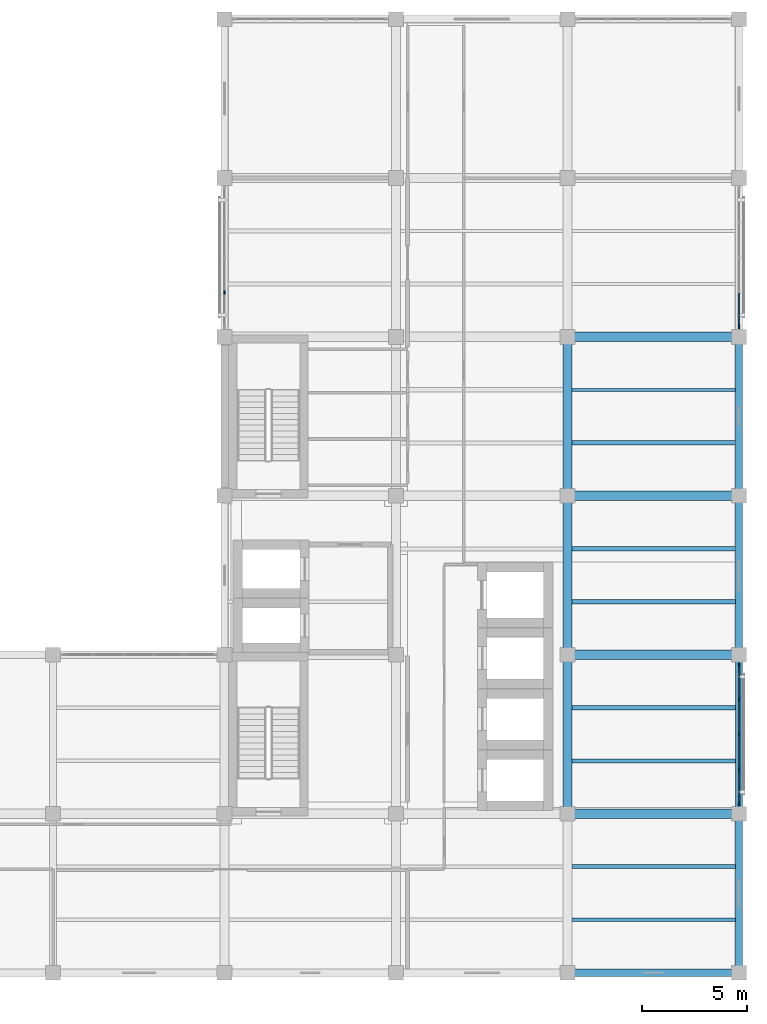
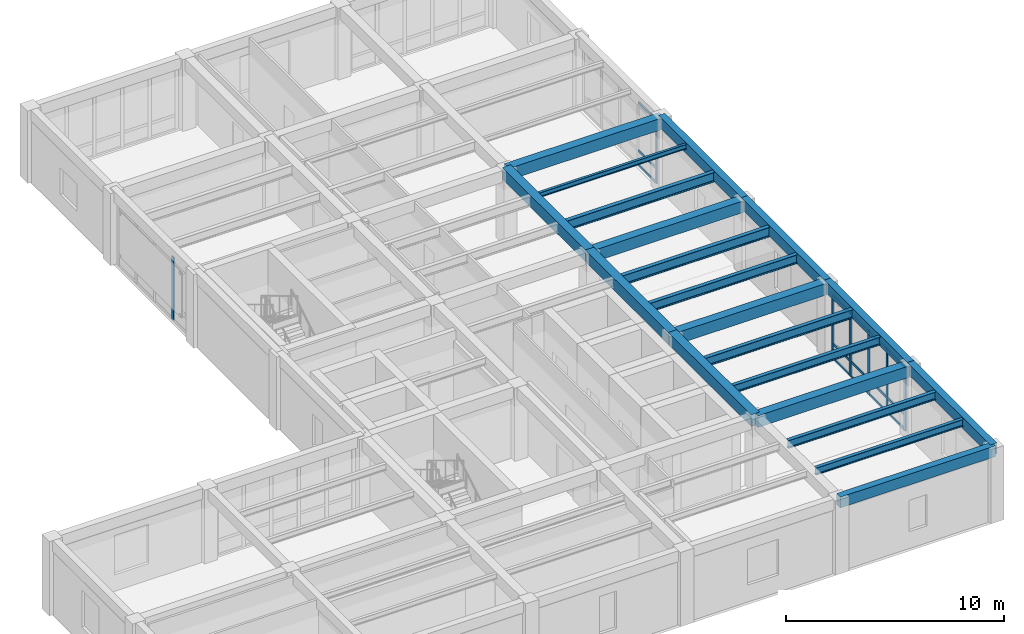
# One storey, part 3 of 13: 22 members, 20 beams, 3 elements without a shape of their own.
"""IFC4 building model written with IfcOpenShell, lengths in metres."""

from ifc_helpers import new_model, si_unit, direction, frame, origin, origin_2d, place, context, subcontext, project, spatial, rectangle, i_section, extrude, material, material_profile, profile_set, type_object, element, aggregate, save


model = new_model("IFC4")

# Units and contexts
model_context = context("Model", 3, precision=1e-05, world=origin(), true_north=direction((0.0, 1.0)))
body_context = subcontext(model_context, "Body", "Model", "MODEL_VIEW")
ifc_project = project(units=[si_unit("LENGTHUNIT", "METRE"), si_unit("AREAUNIT", "SQUARE_METRE"), si_unit("VOLUMEUNIT", "CUBIC_METRE"), si_unit("PLANEANGLEUNIT", "RADIAN"), si_unit("MASSUNIT", "GRAM", prefix="KILO")], contexts=[model_context])

# Site, building, storey
site_placement = place(None, origin())
site = spatial("IfcSite", under=ifc_project, at=site_placement, CompositionType="ELEMENT")
building_placement = place(site_placement, origin())
building = spatial("IfcBuilding", under=site, at=building_placement, Name="Qandaris Square Conservatory and Botanical Centre", CompositionType="ELEMENT")
storey_placement = place(building_placement, frame((0.0, 0.0, 61.800048828125)))
storey = spatial("IfcBuildingStorey", under=building, at=storey_placement, Name="L14", CompositionType="ELEMENT", Elevation=61.800048828125)

# Beams
ifc_material_1 = material(Name="Steel S355", Category="steel")
ifc_material_profile_1 = material_profile(ifc_material_1, i_section(OverallWidth=0.18994140625, OverallDepth=0.449951171875, WebThickness=0.009521484375, FlangeThickness=0.0146484375, FilletRadius=0.02099609375, at=origin_2d()), Name="IPE 450")
ifc_profile_set_1 = profile_set([ifc_material_profile_1], Name="Steel S355")
beam_type_1 = type_object("IfcBeamType", Name="Composite Archive Joist IPE 450", PredefinedType="JOIST", material=ifc_profile_set_1)
for number, where, z_axis, x_axis, name in (
    (1, (155.824951171875, 21.666748046875, 3.875), (1.0, 0.0, 0.0), (0.0, 1.0, 0.0), "L14 Composite Joist 2895"),
    (2, (155.824951171875, 26.7333984375, 3.875), (1.0, 0.0, 0.0), (0.0, 1.0, 0.0), "L14 Composite Joist 2896"),
):
    element("IfcBeam", number, at=place(storey_placement, frame(where, z_axis=z_axis, x_axis=x_axis)), inside=storey, type_object=beam_type_1, Name=name, PredefinedType="JOIST", context=body_context, shape_type="SweptSolid", body=[
        extrude(i_section(OverallWidth=0.18994140625, OverallDepth=0.449951171875, WebThickness=0.009521484375, FlangeThickness=0.0146484375, FilletRadius=0.02099609375, at=origin_2d()), origin(), (0.0, 0.0, 1.0), 7.800048828125),
    ])
ifc_material_profile_2 = material_profile(ifc_material_1, i_section(OverallWidth=0.199951171875, OverallDepth=0.5, WebThickness=0.01025390625, FlangeThickness=0.01611328125, FilletRadius=0.02099609375, at=origin_2d()), Name="IPE 500")
ifc_profile_set_2 = profile_set([ifc_material_profile_2], Name="Steel S355")
beam_type_2 = type_object("IfcBeamType", Name="Composite Gallery Joist IPE 500", PredefinedType="JOIST", material=ifc_profile_set_2)
for number, where, z_axis, x_axis, name in (
    (3, (155.824951171875, 29.2666015625, 3.849853515625), (1.0, 0.0, 0.0), (0.0, 1.0, 0.0), "L14 Composite Joist 2897"),
    (4, (155.824951171875, 34.333251953125, 3.849853515625), (1.0, 0.0, 0.0), (0.0, 1.0, 0.0), "L14 Composite Joist 2898"),
):
    element("IfcBeam", number, at=place(storey_placement, frame(where, z_axis=z_axis, x_axis=x_axis)), inside=storey, type_object=beam_type_2, Name=name, PredefinedType="JOIST", context=body_context, shape_type="SweptSolid", body=[
        extrude(i_section(OverallWidth=0.199951171875, OverallDepth=0.5, WebThickness=0.01025390625, FlangeThickness=0.01611328125, FilletRadius=0.02099609375, at=origin_2d()), origin(), (0.0, 0.0, 1.0), 7.800048828125),
    ])
ifc_material_profile_3 = material_profile(ifc_material_1, i_section(OverallWidth=0.179931640625, OverallDepth=0.39990234375, WebThickness=0.008544921875, FlangeThickness=0.013427734375, FilletRadius=0.02099609375, at=origin_2d()), Name="IPE 400")
ifc_profile_set_3 = profile_set([ifc_material_profile_3], Name="Steel S355")
beam_type_3 = type_object("IfcBeamType", Name="Composite Plinth Joist IPE 400", PredefinedType="JOIST", material=ifc_profile_set_3)
beam_1_placement = place(storey_placement, frame((155.824951171875, 19.13330078125, 3.89990234375), z_axis=(1.0, 0.0, 0.0), x_axis=(0.0, 1.0, 0.0)))
element("IfcBeam", 5, at=beam_1_placement, inside=storey, type_object=beam_type_3, Name="L14 Composite Joist 2894", PredefinedType="JOIST", context=body_context, shape_type="SweptSolid", body=[
    extrude(i_section(OverallWidth=0.179931640625, OverallDepth=0.39990234375, WebThickness=0.008544921875, FlangeThickness=0.013427734375, FilletRadius=0.02099609375, at=origin_2d()), origin(), (0.0, 0.0, 1.0), 7.800048828125),
])

# Curtain wall, members
ifc_material_2 = material(Name="Anodised Aluminium", Category="aluminium")
curtain_wall_type_1 = type_object("IfcCurtainWallType", Name="Unitised Curtain Wall CW-4-670x355", PredefinedType="USERDEFINED", material=ifc_material_2)
curtain_wall_1_placement = place(storey_placement, origin())
curtain_wall_1 = element("IfcCurtainWall", 6, at=curtain_wall_1_placement, inside=storey, type_object=curtain_wall_type_1, Name="Curtain Wall CW-TWR-L14-2-2", ObjectType="GLAZED CURTAIN WALL", PredefinedType="USERDEFINED")
ifc_material_profile_4 = material_profile(ifc_material_2, rectangle(XDim=0.06494140625, YDim=0.179931640625, at=origin_2d()), Name="ALU-MUL 65x180")
ifc_profile_set_4 = profile_set([ifc_material_profile_4], Name="Anodised Aluminium")
member_type_1 = type_object("IfcMemberType", Name="Curtain Wall Mullion 65x180", PredefinedType="MULLION", material=ifc_profile_set_4)
member_1_placement = place(storey_placement, frame((163.800048828125, 24.6826171875, 0.0), z_axis=(0.0, 0.0, 1.0), x_axis=(-1.0, 0.0, 0.0)))
member_1 = element("IfcMember", 7, at=member_1_placement, type_object=member_type_1, Name="CW-4-670x355 mullion 1", PredefinedType="MULLION", context=body_context, shape_type="SweptSolid", body=[
    extrude(rectangle(XDim=0.06494140625, YDim=0.179931640625, at=origin_2d()), origin(), (0.0, 0.0, 1.0), 3.544921875),
])
member_2_placement = place(storey_placement, frame((163.800048828125, 26.324951171875, 0.0), z_axis=(0.0, 0.0, 1.0), x_axis=(-1.0, 0.0, 0.0)))
member_2 = element("IfcMember", 8, at=member_2_placement, type_object=member_type_1, Name="CW-4-670x355 mullion 2", PredefinedType="MULLION", context=body_context, shape_type="SweptSolid", body=[
    extrude(rectangle(XDim=0.06494140625, YDim=0.179931640625, at=origin_2d()), origin(), (0.0, 0.0, 1.0), 3.544921875),
])
member_3_placement = place(storey_placement, frame((163.800048828125, 28.0, 0.0), z_axis=(0.0, 0.0, 1.0), x_axis=(-1.0, 0.0, 0.0)))
member_3 = element("IfcMember", 9, at=member_3_placement, type_object=member_type_1, Name="CW-4-670x355 mullion 3", PredefinedType="MULLION", context=body_context, shape_type="SweptSolid", body=[
    extrude(rectangle(XDim=0.06494140625, YDim=0.179931640625, at=origin_2d()), origin(), (0.0, 0.0, 1.0), 3.544921875),
])
member_4_placement = place(storey_placement, frame((163.800048828125, 29.675048828125, 0.0), z_axis=(0.0, 0.0, 1.0), x_axis=(-1.0, 0.0, 0.0)))
member_4 = element("IfcMember", 10, at=member_4_placement, type_object=member_type_1, Name="CW-4-670x355 mullion 4", PredefinedType="MULLION", context=body_context, shape_type="SweptSolid", body=[
    extrude(rectangle(XDim=0.06494140625, YDim=0.179931640625, at=origin_2d()), origin(), (0.0, 0.0, 1.0), 3.544921875),
])
member_5_placement = place(storey_placement, frame((163.800048828125, 31.3173828125, 0.0), z_axis=(0.0, 0.0, 1.0), x_axis=(-1.0, 0.0, 0.0)))
member_5 = element("IfcMember", 11, at=member_5_placement, type_object=member_type_1, Name="CW-4-670x355 mullion 5", PredefinedType="MULLION", context=body_context, shape_type="SweptSolid", body=[
    extrude(rectangle(XDim=0.06494140625, YDim=0.179931640625, at=origin_2d()), origin(), (0.0, 0.0, 1.0), 3.544921875),
])

# Curtain wall, member
curtain_wall_2_placement = place(storey_placement, origin())
curtain_wall_2 = element("IfcCurtainWall", 12, at=curtain_wall_2_placement, inside=storey, type_object=curtain_wall_type_1, Name="Curtain Wall CW-TWR-L14-2-5", ObjectType="GLAZED CURTAIN WALL", PredefinedType="USERDEFINED")
member_6_placement = place(storey_placement, frame((163.800048828125, 47.482421875, 0.0), z_axis=(0.0, 0.0, 1.0), x_axis=(-1.0, 0.0, 0.0)))
member_6 = element("IfcMember", 13, at=member_6_placement, type_object=member_type_1, Name="CW-4-670x355 mullion 1", PredefinedType="MULLION", context=body_context, shape_type="SweptSolid", body=[
    extrude(rectangle(XDim=0.06494140625, YDim=0.179931640625, at=origin_2d()), origin(), (0.0, 0.0, 1.0), 3.544921875),
])

curtain_wall_type_2 = type_object("IfcCurtainWallType", Name="Unitised Curtain Wall CW-4-670x351", PredefinedType="USERDEFINED", material=ifc_material_2)
curtain_wall_3_placement = place(storey_placement, origin())
curtain_wall_3 = element("IfcCurtainWall", 14, at=curtain_wall_3_placement, inside=storey, type_object=curtain_wall_type_2, Name="Curtain Wall CW-TWR-L14-4-2", ObjectType="GLAZED CURTAIN WALL", PredefinedType="USERDEFINED")
member_7_placement = place(storey_placement, frame((139.199951171875, 49.125, 0.0), z_axis=(0.0, 0.0, 1.0), x_axis=(1.0, 0.0, 0.0)))
member_7 = element("IfcMember", 15, at=member_7_placement, type_object=member_type_1, Name="CW-4-670x351 mullion 4", PredefinedType="MULLION", context=body_context, shape_type="SweptSolid", body=[
    extrude(rectangle(XDim=0.06494140625, YDim=0.179931640625, at=origin_2d()), origin(), (0.0, 0.0, 1.0), 3.510009765625),
])
aggregate(curtain_wall_3, [member_7])

# Member
ifc_material_profile_5 = material_profile(ifc_material_2, rectangle(XDim=0.06494140625, YDim=0.139892578125, at=origin_2d()), Name="ALU-TRN 65x140")
ifc_profile_set_5 = profile_set([ifc_material_profile_5], Name="Anodised Aluminium")
member_type_2 = type_object("IfcMemberType", Name="Curtain Wall Transom 65x140", PredefinedType="USERDEFINED", material=ifc_profile_set_5)
member_8_placement = place(storey_placement, frame((163.800048828125, 24.715087890625, 0.032470703125), z_axis=(0.0, 1.0, 0.0), x_axis=(-1.0, 0.0, 0.0)))
member_8 = element("IfcMember", 16, at=member_8_placement, type_object=member_type_2, Name="CW-4-670x355 transom 1.1", ObjectType="TRANSOM", PredefinedType="USERDEFINED", context=body_context, shape_type="SweptSolid", body=[
    extrude(rectangle(XDim=0.06494140625, YDim=0.139892578125, at=origin_2d()), origin(), (0.0, 0.0, 1.0), 1.577392578125),
])

member_9_placement = place(storey_placement, frame((163.800048828125, 24.715087890625, 0.849853515625), z_axis=(0.0, 1.0, 0.0), x_axis=(-1.0, 0.0, 0.0)))
member_9 = element("IfcMember", 17, at=member_9_placement, type_object=member_type_2, Name="CW-4-670x355 transom 1.2", ObjectType="TRANSOM", PredefinedType="USERDEFINED", context=body_context, shape_type="SweptSolid", body=[
    extrude(rectangle(XDim=0.06494140625, YDim=0.139892578125, at=origin_2d()), origin(), (0.0, 0.0, 1.0), 1.577392578125),
])

member_10_placement = place(storey_placement, frame((163.800048828125, 24.715087890625, 3.512451171875), z_axis=(0.0, 1.0, 0.0), x_axis=(-1.0, 0.0, 0.0)))
member_10 = element("IfcMember", 18, at=member_10_placement, type_object=member_type_2, Name="CW-4-670x355 transom 1.3", ObjectType="TRANSOM", PredefinedType="USERDEFINED", context=body_context, shape_type="SweptSolid", body=[
    extrude(rectangle(XDim=0.06494140625, YDim=0.139892578125, at=origin_2d()), origin(), (0.0, 0.0, 1.0), 1.577392578125),
])

member_11_placement = place(storey_placement, frame((163.800048828125, 26.357421875, 0.032470703125), z_axis=(0.0, 1.0, 0.0), x_axis=(-1.0, 0.0, 0.0)))
member_11 = element("IfcMember", 19, at=member_11_placement, type_object=member_type_2, Name="CW-4-670x355 transom 2.1", ObjectType="TRANSOM", PredefinedType="USERDEFINED", context=body_context, shape_type="SweptSolid", body=[
    extrude(rectangle(XDim=0.06494140625, YDim=0.139892578125, at=origin_2d()), origin(), (0.0, 0.0, 1.0), 1.610107421875),
])

member_12_placement = place(storey_placement, frame((163.800048828125, 26.357421875, 0.849853515625), z_axis=(0.0, 1.0, 0.0), x_axis=(-1.0, 0.0, 0.0)))
member_12 = element("IfcMember", 20, at=member_12_placement, type_object=member_type_2, Name="CW-4-670x355 transom 2.2", ObjectType="TRANSOM", PredefinedType="USERDEFINED", context=body_context, shape_type="SweptSolid", body=[
    extrude(rectangle(XDim=0.06494140625, YDim=0.139892578125, at=origin_2d()), origin(), (0.0, 0.0, 1.0), 1.610107421875),
])

member_13_placement = place(storey_placement, frame((163.800048828125, 26.357421875, 3.512451171875), z_axis=(0.0, 1.0, 0.0), x_axis=(-1.0, 0.0, 0.0)))
member_13 = element("IfcMember", 21, at=member_13_placement, type_object=member_type_2, Name="CW-4-670x355 transom 2.3", ObjectType="TRANSOM", PredefinedType="USERDEFINED", context=body_context, shape_type="SweptSolid", body=[
    extrude(rectangle(XDim=0.06494140625, YDim=0.139892578125, at=origin_2d()), origin(), (0.0, 0.0, 1.0), 1.610107421875),
])

member_14_placement = place(storey_placement, frame((163.800048828125, 28.032470703125, 0.032470703125), z_axis=(0.0, 1.0, 0.0), x_axis=(-1.0, 0.0, 0.0)))
member_14 = element("IfcMember", 22, at=member_14_placement, type_object=member_type_2, Name="CW-4-670x355 transom 3.1", ObjectType="TRANSOM", PredefinedType="USERDEFINED", context=body_context, shape_type="SweptSolid", body=[
    extrude(rectangle(XDim=0.06494140625, YDim=0.139892578125, at=origin_2d()), origin(), (0.0, 0.0, 1.0), 1.610107421875),
])

member_15_placement = place(storey_placement, frame((163.800048828125, 28.032470703125, 0.849853515625), z_axis=(0.0, 1.0, 0.0), x_axis=(-1.0, 0.0, 0.0)))
member_15 = element("IfcMember", 23, at=member_15_placement, type_object=member_type_2, Name="CW-4-670x355 transom 3.2", ObjectType="TRANSOM", PredefinedType="USERDEFINED", context=body_context, shape_type="SweptSolid", body=[
    extrude(rectangle(XDim=0.06494140625, YDim=0.139892578125, at=origin_2d()), origin(), (0.0, 0.0, 1.0), 1.610107421875),
])

member_16_placement = place(storey_placement, frame((163.800048828125, 28.032470703125, 3.512451171875), z_axis=(0.0, 1.0, 0.0), x_axis=(-1.0, 0.0, 0.0)))
member_16 = element("IfcMember", 24, at=member_16_placement, type_object=member_type_2, Name="CW-4-670x355 transom 3.3", ObjectType="TRANSOM", PredefinedType="USERDEFINED", context=body_context, shape_type="SweptSolid", body=[
    extrude(rectangle(XDim=0.06494140625, YDim=0.139892578125, at=origin_2d()), origin(), (0.0, 0.0, 1.0), 1.610107421875),
])

member_17_placement = place(storey_placement, frame((163.800048828125, 29.70751953125, 0.032470703125), z_axis=(0.0, 1.0, 0.0), x_axis=(-1.0, 0.0, 0.0)))
member_17 = element("IfcMember", 25, at=member_17_placement, type_object=member_type_2, Name="CW-4-670x355 transom 4.1", ObjectType="TRANSOM", PredefinedType="USERDEFINED", context=body_context, shape_type="SweptSolid", body=[
    extrude(rectangle(XDim=0.06494140625, YDim=0.139892578125, at=origin_2d()), origin(), (0.0, 0.0, 1.0), 1.577392578125),
])

member_18_placement = place(storey_placement, frame((163.800048828125, 29.70751953125, 0.849853515625), z_axis=(0.0, 1.0, 0.0), x_axis=(-1.0, 0.0, 0.0)))
member_18 = element("IfcMember", 26, at=member_18_placement, type_object=member_type_2, Name="CW-4-670x355 transom 4.2", ObjectType="TRANSOM", PredefinedType="USERDEFINED", context=body_context, shape_type="SweptSolid", body=[
    extrude(rectangle(XDim=0.06494140625, YDim=0.139892578125, at=origin_2d()), origin(), (0.0, 0.0, 1.0), 1.577392578125),
])

member_19_placement = place(storey_placement, frame((163.800048828125, 29.70751953125, 3.512451171875), z_axis=(0.0, 1.0, 0.0), x_axis=(-1.0, 0.0, 0.0)))
member_19 = element("IfcMember", 27, at=member_19_placement, type_object=member_type_2, Name="CW-4-670x355 transom 4.3", ObjectType="TRANSOM", PredefinedType="USERDEFINED", context=body_context, shape_type="SweptSolid", body=[
    extrude(rectangle(XDim=0.06494140625, YDim=0.139892578125, at=origin_2d()), origin(), (0.0, 0.0, 1.0), 1.577392578125),
])

aggregate(curtain_wall_1, [member_1, member_2, member_3, member_4, member_5, member_8, member_9, member_10, member_11, member_12, member_13, member_14, member_15, member_16, member_17, member_18, member_19])

member_20_placement = place(storey_placement, frame((163.800048828125, 47.514892578125, 0.032470703125), z_axis=(0.0, 1.0, 0.0), x_axis=(-1.0, 0.0, 0.0)))
member_20 = element("IfcMember", 28, at=member_20_placement, type_object=member_type_2, Name="CW-4-670x355 transom 1.1", ObjectType="TRANSOM", PredefinedType="USERDEFINED", context=body_context, shape_type="SweptSolid", body=[
    extrude(rectangle(XDim=0.06494140625, YDim=0.139892578125, at=origin_2d()), origin(), (0.0, 0.0, 1.0), 1.57763671875),
])

member_21_placement = place(storey_placement, frame((163.800048828125, 47.514892578125, 0.849853515625), z_axis=(0.0, 1.0, 0.0), x_axis=(-1.0, 0.0, 0.0)))
member_21 = element("IfcMember", 29, at=member_21_placement, type_object=member_type_2, Name="CW-4-670x355 transom 1.2", ObjectType="TRANSOM", PredefinedType="USERDEFINED", context=body_context, shape_type="SweptSolid", body=[
    extrude(rectangle(XDim=0.06494140625, YDim=0.139892578125, at=origin_2d()), origin(), (0.0, 0.0, 1.0), 1.57763671875),
])

member_22_placement = place(storey_placement, frame((163.800048828125, 47.514892578125, 3.512451171875), z_axis=(0.0, 1.0, 0.0), x_axis=(-1.0, 0.0, 0.0)))
member_22 = element("IfcMember", 30, at=member_22_placement, type_object=member_type_2, Name="CW-4-670x355 transom 1.3", ObjectType="TRANSOM", PredefinedType="USERDEFINED", context=body_context, shape_type="SweptSolid", body=[
    extrude(rectangle(XDim=0.06494140625, YDim=0.139892578125, at=origin_2d()), origin(), (0.0, 0.0, 1.0), 1.57763671875),
])

aggregate(curtain_wall_2, [member_6, member_20, member_21, member_22])

# Beams
ifc_material_profile_6 = material_profile(ifc_material_1, i_section(OverallWidth=0.2099609375, OverallDepth=0.550048828125, WebThickness=0.010986328125, FlangeThickness=0.01708984375, FilletRadius=0.02392578125, at=origin_2d()), Name="IPE 550")
ifc_profile_set_6 = profile_set([ifc_material_profile_6], Name="Steel S355")
beam_type_4 = type_object("IfcBeamType", Name="Long-Span Foyer Joist IPE 550", PredefinedType="JOIST", material=ifc_profile_set_6)
for number, where, z_axis, x_axis, name in (
    (31, (155.824951171875, 36.86669921875, 3.824951171875), (1.0, 0.0, 0.0), (0.0, 1.0, 0.0), "L14 Composite Joist 2899"),
    (32, (155.824951171875, 41.933349609375, 3.824951171875), (1.0, 0.0, 0.0), (0.0, 1.0, 0.0), "L14 Composite Joist 2900"),
):
    element("IfcBeam", number, at=place(storey_placement, frame(where, z_axis=z_axis, x_axis=x_axis)), inside=storey, type_object=beam_type_4, Name=name, PredefinedType="JOIST", context=body_context, shape_type="SweptSolid", body=[
        extrude(i_section(OverallWidth=0.2099609375, OverallDepth=0.550048828125, WebThickness=0.010986328125, FlangeThickness=0.01708984375, FilletRadius=0.02392578125, at=origin_2d()), origin(), (0.0, 0.0, 1.0), 7.800048828125),
    ])
ifc_material_3 = material(Name="Concrete C50/60", Category="concrete")
ifc_material_profile_7 = material_profile(ifc_material_3, rectangle(XDim=0.35009765625, YDim=0.60009765625, at=origin_2d()), Name="RC-SP 350x600")
ifc_profile_set_7 = profile_set([ifc_material_profile_7], Name="Concrete C50/60")
beam_type_5 = type_object("IfcBeamType", Name="RC Edge Spandrel Beam 350x600", PredefinedType="SPANDREL", material=ifc_profile_set_7)
beam_2_placement = place(storey_placement, frame((155.60009765625, 16.60009765625, 3.844970703125), z_axis=(1.0, 0.0, 0.0), x_axis=(0.0, 1.0, 0.0)))
element("IfcBeam", 33, at=beam_2_placement, inside=storey, type_object=beam_type_5, Name="L14 Frame Beam 2828", PredefinedType="SPANDREL", context=body_context, shape_type="SweptSolid", body=[
    extrude(rectangle(XDim=0.35009765625, YDim=0.60009765625, at=origin_2d()), origin(), (0.0, 0.0, 1.0), 8.199951171875),
])
beam_3_placement = place(storey_placement, frame((163.800048828125, 16.60009765625, 3.844970703125), z_axis=(0.0, 1.0, 0.0), x_axis=(-1.0, 0.0, 0.0)))
element("IfcBeam", 34, at=beam_3_placement, inside=storey, type_object=beam_type_5, Name="L14 Frame Beam 2872", PredefinedType="SPANDREL", context=body_context, shape_type="SweptSolid", body=[
    extrude(rectangle(XDim=0.35009765625, YDim=0.60009765625, at=origin_2d()), origin(), (0.0, 0.0, 1.0), 7.599853515625),
])
beam_4_placement = place(storey_placement, frame((163.800048828125, 24.199951171875, 3.844970703125), z_axis=(0.0, 1.0, 0.0), x_axis=(-1.0, 0.0, 0.0)))
element("IfcBeam", 35, at=beam_4_placement, inside=storey, type_object=beam_type_5, Name="L14 Frame Beam 2873", PredefinedType="SPANDREL", context=body_context, shape_type="SweptSolid", body=[
    extrude(rectangle(XDim=0.35009765625, YDim=0.60009765625, at=origin_2d()), origin(), (0.0, 0.0, 1.0), 7.60009765625),
])
beam_5_placement = place(storey_placement, frame((163.800048828125, 31.800048828125, 3.844970703125), z_axis=(0.0, 1.0, 0.0), x_axis=(-1.0, 0.0, 0.0)))
element("IfcBeam", 36, at=beam_5_placement, inside=storey, type_object=beam_type_5, Name="L14 Frame Beam 2874", PredefinedType="SPANDREL", context=body_context, shape_type="SweptSolid", body=[
    extrude(rectangle(XDim=0.35009765625, YDim=0.60009765625, at=origin_2d()), origin(), (0.0, 0.0, 1.0), 7.599853515625),
])
beam_6_placement = place(storey_placement, frame((163.800048828125, 39.39990234375, 3.844970703125), z_axis=(0.0, 1.0, 0.0), x_axis=(-1.0, 0.0, 0.0)))
element("IfcBeam", 37, at=beam_6_placement, inside=storey, type_object=beam_type_5, Name="L14 Frame Beam 2875", PredefinedType="SPANDREL", context=body_context, shape_type="SweptSolid", body=[
    extrude(rectangle(XDim=0.35009765625, YDim=0.60009765625, at=origin_2d()), origin(), (0.0, 0.0, 1.0), 7.60009765625),
])
ifc_material_profile_8 = material_profile(ifc_material_3, rectangle(XDim=0.449951171875, YDim=0.64990234375, at=origin_2d()), Name="RC-BM 450x650")
ifc_profile_set_8 = profile_set([ifc_material_profile_8], Name="Concrete C50/60")
beam_type_6 = type_object("IfcBeamType", Name="RC Floor Girder 450x650", PredefinedType="BEAM", material=ifc_profile_set_8)
for number, where, z_axis, x_axis, name in (
    (38, (155.60009765625, 24.199951171875, 3.784912109375), (1.0, 0.0, 0.0), (0.0, 1.0, 0.0), "L14 Frame Beam 2833"),
    (39, (155.60009765625, 31.800048828125, 3.784912109375), (1.0, 0.0, 0.0), (0.0, 1.0, 0.0), "L14 Frame Beam 2837"),
    (40, (155.60009765625, 39.39990234375, 3.784912109375), (1.0, 0.0, 0.0), (0.0, 1.0, 0.0), "L14 Frame Beam 2840"),
    (41, (155.60009765625, 47.0, 3.784912109375), (1.0, 0.0, 0.0), (0.0, 1.0, 0.0), "L14 Frame Beam 2843"),
):
    element("IfcBeam", number, at=place(storey_placement, frame(where, z_axis=z_axis, x_axis=x_axis)), inside=storey, type_object=beam_type_6, Name=name, PredefinedType="BEAM", context=body_context, shape_type="SweptSolid", body=[
        extrude(rectangle(XDim=0.449951171875, YDim=0.64990234375, at=origin_2d()), origin(), (0.0, 0.0, 1.0), 8.199951171875),
    ])
beam_7_placement = place(storey_placement, frame((155.60009765625, 24.199951171875, 3.784912109375), z_axis=(0.0, 1.0, 0.0), x_axis=(-1.0, 0.0, 0.0)))
element("IfcBeam", 42, at=beam_7_placement, inside=storey, type_object=beam_type_6, Name="L14 Frame Beam 2867", PredefinedType="BEAM", context=body_context, shape_type="SweptSolid", body=[
    extrude(rectangle(XDim=0.449951171875, YDim=0.64990234375, at=origin_2d()), origin(), (0.0, 0.0, 1.0), 7.60009765625),
])
beam_8_placement = place(storey_placement, frame((155.60009765625, 31.800048828125, 3.784912109375), z_axis=(0.0, 1.0, 0.0), x_axis=(-1.0, 0.0, 0.0)))
element("IfcBeam", 43, at=beam_8_placement, inside=storey, type_object=beam_type_6, Name="L14 Frame Beam 2868", PredefinedType="BEAM", context=body_context, shape_type="SweptSolid", body=[
    extrude(rectangle(XDim=0.449951171875, YDim=0.64990234375, at=origin_2d()), origin(), (0.0, 0.0, 1.0), 7.599853515625),
])
beam_9_placement = place(storey_placement, frame((155.60009765625, 39.39990234375, 3.784912109375), z_axis=(0.0, 1.0, 0.0), x_axis=(-1.0, 0.0, 0.0)))
element("IfcBeam", 44, at=beam_9_placement, inside=storey, type_object=beam_type_6, Name="L14 Frame Beam 2869", PredefinedType="BEAM", context=body_context, shape_type="SweptSolid", body=[
    extrude(rectangle(XDim=0.449951171875, YDim=0.64990234375, at=origin_2d()), origin(), (0.0, 0.0, 1.0), 7.60009765625),
])
ifc_material_profile_9 = material_profile(ifc_material_1, i_section(OverallWidth=0.135009765625, OverallDepth=0.27001953125, WebThickness=0.006591796875, FlangeThickness=0.01025390625, FilletRadius=0.014892578125, at=origin_2d()), Name="IPE 270")
ifc_profile_set_9 = profile_set([ifc_material_profile_9], Name="Steel S355")
beam_type_7 = type_object("IfcBeamType", Name="Steel Floor Joist IPE 270", PredefinedType="JOIST", material=ifc_profile_set_9)
beam_10_placement = place(storey_placement, frame((155.824951171875, 44.466796875, 3.96484375), z_axis=(1.0, 0.0, 0.0), x_axis=(0.0, 1.0, 0.0)))
element("IfcBeam", 45, at=beam_10_placement, inside=storey, type_object=beam_type_7, Name="L14 Composite Joist 2901", PredefinedType="JOIST", context=body_context, shape_type="SweptSolid", body=[
    extrude(i_section(OverallWidth=0.135009765625, OverallDepth=0.27001953125, WebThickness=0.006591796875, FlangeThickness=0.01025390625, FilletRadius=0.014892578125, at=origin_2d()), origin(), (0.0, 0.0, 1.0), 7.800048828125),
])

save(model, "model.ifc")
